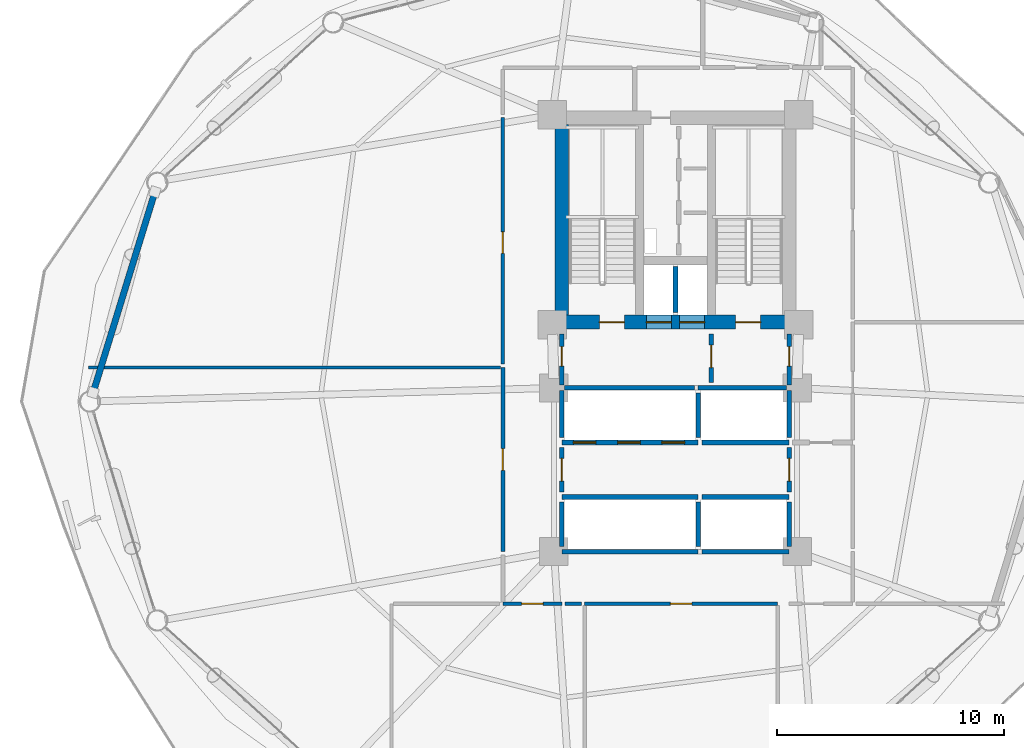
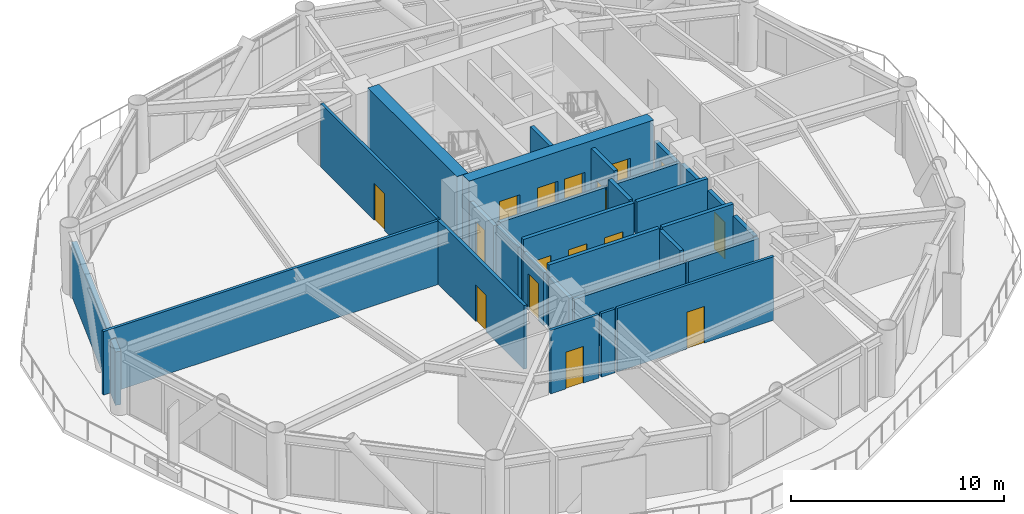
# One storey, part 20 of 25: 29 walls, 16 doors, 16 openings.
"""IFC4 building model written with IfcOpenShell, lengths in metres."""

import ifcopenshell
import ifcopenshell.guid

model = None  # the IFC model being written
_history = None  # IfcOwnerHistory: only IFC2X3 demands one
_inside = {}  # id of a spatial element -> (the spatial element, [elements in it])
_under = {}  # id of a project, library or spatial element -> (it, [spatial elements below it])
_declared = {}  # id of a project -> (the project, [libraries it declares])
_typed = {}  # id of a type object -> (the type object, [elements of that type])
_made_of = {}  # id of a material, layer set ... -> (it, [elements and type objects made of it])


def new_model(schema):
    """Start an empty IFC model of exactly this schema.

    Asked for "IFC4X3", IfcOpenShell would pick the latest addendum, in which some entities
    have other attributes; the version numbers below select the first issue.
    IFC2X3 requires an IfcOwnerHistory on every rooted entity: one is made here for all.
    """
    global model, _history
    if schema == "IFC4X3":
        model = ifcopenshell.file(schema_version=(4, 3, 0, 0))
    else:
        model = ifcopenshell.file(schema=schema)
    _inside.clear()
    _under.clear()
    _declared.clear()
    _typed.clear()
    _made_of.clear()
    _history = None
    if model.schema == "IFC2X3":
        org = make("IfcOrganization", Name="unknown")
        user = make(
            "IfcPersonAndOrganization",
            ThePerson=make("IfcPerson", FamilyName="unknown"),
            TheOrganization=org,
        )
        app = make(
            "IfcApplication",
            ApplicationDeveloper=org,
            Version="unknown",
            ApplicationFullName="unknown",
            ApplicationIdentifier="unknown",
        )
        _history = make(
            "IfcOwnerHistory",
            OwningUser=user,
            OwningApplication=app,
            ChangeAction="ADDED",
            CreationDate=0,
        )
    return model


def make(cls, **values):
    """One entity of the class cls with the attributes given. An attribute that is None is left unset."""
    return model.create_entity(
        cls, **{name: value for name, value in values.items() if value is not None}
    )


def rooted(cls, **values):
    """An entity with a GlobalId (a new one), such as an element, a storey or a relation."""
    return make(cls, GlobalId=ifcopenshell.guid.new(), OwnerHistory=_history, **values)


def si_unit(unit_type, name, prefix=None):
    """IfcSIUnit, for example si_unit("LENGTHUNIT", "METRE", prefix="MILLI")."""
    return make("IfcSIUnit", UnitType=unit_type, Prefix=prefix, Name=name)


def assignment(units):
    """IfcUnitAssignment: the units of a project."""
    return None if units is None else make("IfcUnitAssignment", Units=units)


def point(xyz):
    """IfcCartesianPoint."""
    return None if xyz is None else make("IfcCartesianPoint", Coordinates=xyz)


def direction(xyz):
    """IfcDirection."""
    return None if xyz is None else make("IfcDirection", DirectionRatios=xyz)


def frame(location, z_axis=None, x_axis=None):
    """IfcAxis2Placement3D, a coordinate frame: its origin and axes. An axis left out is left unset."""
    return make(
        "IfcAxis2Placement3D",
        Location=point(location),
        Axis=direction(z_axis),
        RefDirection=direction(x_axis),
    )


def frame_2d(location, x_axis=None):
    """IfcAxis2Placement2D, a coordinate frame in the plane: its origin and x axis."""
    return make(
        "IfcAxis2Placement2D", Location=point(location), RefDirection=direction(x_axis)
    )


def origin():
    """The frame at (0, 0, 0) with its axes left unset."""
    return frame((0.0, 0.0, 0.0))


def place(relative_to, where):
    """IfcLocalPlacement: puts the frame where relative to a parent placement (None: the world)."""
    return make(
        "IfcLocalPlacement", PlacementRelTo=relative_to, RelativePlacement=where
    )


def context(
    kind, dimensions, precision=None, world=None, true_north=None, identifier=None
):
    """IfcGeometricRepresentationContext, for example the 3D "Model" context."""
    return make(
        "IfcGeometricRepresentationContext",
        ContextIdentifier=identifier,
        ContextType=kind,
        CoordinateSpaceDimension=dimensions,
        Precision=precision,
        WorldCoordinateSystem=world,
        TrueNorth=true_north,
    )


def subcontext(parent, identifier, kind, view, scale=None):
    """IfcGeometricRepresentationSubContext, for example "Body" below "Model"."""
    return make(
        "IfcGeometricRepresentationSubContext",
        ContextIdentifier=identifier,
        ContextType=kind,
        ParentContext=parent,
        TargetScale=scale,
        TargetView=view,
    )


def project(units=None, contexts=None):
    """IfcProject with its units and contexts."""
    return rooted(
        "IfcProject",
        Name="project",
        RepresentationContexts=contexts,
        UnitsInContext=assignment(units),
    )


def spatial(cls, under=None, at=None, **own):
    """A site, building, storey or space (cls), placed at a placement, below another one or the project."""
    s = rooted(cls, ObjectPlacement=at, **own)
    if under is not None:
        _under.setdefault(under.id(), (under, []))[1].append(s)
    return s


def profile(cls, at=None, kind="AREA", **sizes):
    """A parametric profile (cls). Its sizes go by their IFC names, for example OverallWidth=200.0."""
    return make(cls, ProfileType=kind, Position=at, **sizes)


def rectangle(**sizes):
    """IfcRectangleProfileDef."""
    return profile("IfcRectangleProfileDef", **sizes)


def extrude(swept, where, along, depth):
    """IfcExtrudedAreaSolid: the profile swept, set in the frame where, extruded along a direction by depth."""
    return make(
        "IfcExtrudedAreaSolid",
        SweptArea=swept,
        Position=where,
        ExtrudedDirection=direction(along),
        Depth=depth,
    )


def shape(context_of_items, identifier, shape_type, items):
    """IfcShapeRepresentation: the items that make up one representation, for example the "Body"."""
    return make(
        "IfcShapeRepresentation",
        ContextOfItems=context_of_items,
        RepresentationIdentifier=identifier,
        RepresentationType=shape_type,
        Items=items,
    )


def material(Name=None, Category=None):
    """IfcMaterial."""
    return make("IfcMaterial", Name=Name, Category=Category)


def layer(
    of_material, thickness, ventilated=None, Name=None, Category=None, Priority=None
):
    """IfcMaterialLayer: one layer of a wall or slab, of a material (None: an air gap)."""
    return make(
        "IfcMaterialLayer",
        Material=of_material,
        LayerThickness=thickness,
        IsVentilated=ventilated,
        Name=Name,
        Category=Category,
        Priority=Priority,
    )


def layer_set(layers, Name=None):
    """IfcMaterialLayerSet."""
    return make("IfcMaterialLayerSet", MaterialLayers=layers, LayerSetName=Name)


def made_of(thing, what):
    """Note that an element or type object is made of a material, layer set ...; save() writes the relation."""
    if what is not None:
        _made_of.setdefault(what.id(), (what, []))[1].append(thing)
    return thing


def type_object(cls, material=None, **own):
    """A type object (cls), such as IfcWallType, which elements share."""
    return made_of(rooted(cls, **own), material)


def element(
    cls,
    number,
    at=None,
    inside=None,
    cuts=None,
    type_object=None,
    material=None,
    context=None,
    identifier="Body",
    shape_type=None,
    held_by="IfcProductDefinitionShape",
    body=None,
    shapes=None,
    **own,
):
    """One element of the class cls, such as IfcWall. Its Tag is "e" and its number.

    at: its placement. inside: the storey or other place that contains it. cuts: it is an
    opening in that element (IfcRelVoidsElement). A single representation is given by context,
    identifier, shape_type and body (its items); several are given by shapes. held_by: the class
    of the entity that holds the representations. save() writes the other relations.
    """
    e = rooted(cls, Tag="e%d" % number, ObjectPlacement=at, **own)
    if body is not None:
        shapes = [shape(context, identifier, shape_type, body)]
    if shapes is not None:
        e.Representation = make(held_by, Representations=shapes)
    if inside is not None:
        _inside.setdefault(inside.id(), (inside, []))[1].append(e)
    if cuts is not None:
        rooted(
            "IfcRelVoidsElement", RelatingBuildingElement=cuts, RelatedOpeningElement=e
        )
    if type_object is not None:
        _typed.setdefault(type_object.id(), (type_object, []))[1].append(e)
    return made_of(e, material)


def fill(opening, filler):
    """IfcRelFillsElement: the door or window that sits in an opening."""
    return rooted(
        "IfcRelFillsElement",
        RelatingOpeningElement=opening,
        RelatedBuildingElement=filler,
    )


def aggregate(whole, parts):
    """IfcRelAggregates: a whole, such as a stair, and the parts it consists of."""
    return rooted("IfcRelAggregates", RelatingObject=whole, RelatedObjects=parts)


def save(model, path):
    """Write the relations noted so far, then the file.

    IfcRelAggregates (storeys below a building ...), IfcRelContainedInSpatialStructure (elements
    in a storey), IfcRelDefinesByType, IfcRelAssociatesMaterial and IfcRelDeclares: one each for
    every whole, place, type object, material and project.
    """
    for whole, parts in _under.values():
        aggregate(whole, parts)
    for where, things in _inside.values():
        rooted(
            "IfcRelContainedInSpatialStructure",
            RelatedElements=things,
            RelatingStructure=where,
        )
    for kind, things in _typed.values():
        rooted("IfcRelDefinesByType", RelatedObjects=things, RelatingType=kind)
    for what, things in _made_of.values():
        rooted("IfcRelAssociatesMaterial", RelatedObjects=things, RelatingMaterial=what)
    for by, libraries in _declared.values():
        rooted("IfcRelDeclares", RelatingContext=by, RelatedDefinitions=libraries)
    model.write(path)


model = new_model("IFC4")

# Units and contexts
model_context = context("Model", 3, precision=1e-05, world=origin(), true_north=direction((0.0, 1.0)))
body_context = subcontext(model_context, "Body", "Model", "MODEL_VIEW")
ifc_project = project(units=[si_unit("LENGTHUNIT", "METRE"), si_unit("AREAUNIT", "SQUARE_METRE"), si_unit("VOLUMEUNIT", "CUBIC_METRE"), si_unit("PLANEANGLEUNIT", "RADIAN"), si_unit("MASSUNIT", "GRAM", prefix="KILO")], contexts=[model_context])

# Site, building, storey
site_placement = place(None, origin())
site = spatial("IfcSite", under=ifc_project, at=site_placement, CompositionType="ELEMENT")
building_placement = place(site_placement, origin())
building = spatial("IfcBuilding", under=site, at=building_placement, Name="Varnakorn Sky Granary", CompositionType="ELEMENT")
storey_placement = place(building_placement, frame((0.0, 0.0, 54.89990234375)))
storey = spatial("IfcBuildingStorey", under=building, at=storey_placement, Name="L13", CompositionType="ELEMENT", Elevation=54.89990234375)

# Wall, openings, doors
ifc_material_1 = material(Name="Concrete C60/75", Category="concrete")
ifc_layer_1 = layer(ifc_material_1, 0.60009765625, Name="Concrete C60/75")
ifc_layer_set_1 = layer_set([ifc_layer_1], Name="Concrete C60/75")
wall_type_1 = type_object("IfcWallType", Name="WT-CW-SHEAR-600", PredefinedType="SHEAR", material=ifc_layer_set_1)
wall_1_placement = place(storey_placement, frame((-2.0, 3.5, 0.0), z_axis=(0.0, 0.0, 1.0), x_axis=(1.0, 0.0, 0.0)))
wall_1 = element("IfcWall", 1, at=wall_1_placement, inside=storey, type_object=wall_type_1, Name="Core South Shear Wall L13", PredefinedType="SHEAR", context=body_context, shape_type="SweptSolid", body=[
    extrude(rectangle(XDim=10.0, YDim=0.60009765625, at=frame_2d((5.0, 0.0))), origin(), (0.0, 0.0, 1.0), 3.89208984375),
])
opening_1_placement = place(wall_1_placement, frame((1.64990234375, 0.0, 0.0)))
opening_1 = element("IfcOpeningElement", 2, at=opening_1_placement, cuts=wall_1, Name="Opening FD-90", PredefinedType="OPENING", context=body_context, shape_type="SweptSolid", body=[
    extrude(rectangle(XDim=1.10009765625, YDim=2.14990234375, at=frame_2d((0.550048828125, 1.074951171875))), frame((0.0, 0.31005859375, 0.0), z_axis=(0.0, -1.0, 0.0), x_axis=(1.0, 0.0, 0.0)), (0.0, 0.0, 1.0), 0.6201171875),
])
opening_2_placement = place(wall_1_placement, frame((7.64990234375, 0.0, 0.0)))
opening_2 = element("IfcOpeningElement", 3, at=opening_2_placement, cuts=wall_1, Name="Opening FD-90", PredefinedType="OPENING", context=body_context, shape_type="SweptSolid", body=[
    extrude(rectangle(XDim=1.10009765625, YDim=2.14990234375, at=frame_2d((0.550048828125, 1.074951171875))), frame((0.0, 0.31005859375, 0.0), z_axis=(0.0, -1.0, 0.0), x_axis=(1.0, 0.0, 0.0)), (0.0, 0.0, 1.0), 0.6201171875),
])
opening_3_placement = place(wall_1_placement, frame((3.719970703125, 0.0, 0.0)))
opening_3 = element("IfcOpeningElement", 4, at=opening_3_placement, cuts=wall_1, Name="Opening LD-01", PredefinedType="OPENING", context=body_context, shape_type="SweptSolid", body=[
    extrude(rectangle(XDim=1.10009765625, YDim=2.199951171875, at=frame_2d((0.550048828125, 1.10009765625))), frame((0.0, 0.31005859375, 0.0), z_axis=(0.0, -1.0, 0.0), x_axis=(1.0, 0.0, 0.0)), (0.0, 0.0, 1.0), 0.6201171875),
])
opening_4_placement = place(wall_1_placement, frame((5.179931640625, 0.0, 0.0)))
opening_4 = element("IfcOpeningElement", 5, at=opening_4_placement, cuts=wall_1, Name="Opening LD-01", PredefinedType="OPENING", context=body_context, shape_type="SweptSolid", body=[
    extrude(rectangle(XDim=1.10009765625, YDim=2.199951171875, at=frame_2d((0.550048828125, 1.10009765625))), frame((0.0, 0.31005859375, 0.0), z_axis=(0.0, -1.0, 0.0), x_axis=(1.0, 0.0, 0.0)), (0.0, 0.0, 1.0), 0.6201171875),
])
ifc_material_2 = material(Name="Brushed Bronze Stainless Steel", Category="steel")
door_type_1 = type_object("IfcDoorType", Name="DR-LD-1100", OperationType="DOUBLE_DOOR_SLIDING", PredefinedType="DOOR", material=ifc_material_2)
door_1_placement = place(opening_3_placement, origin())
door_1 = element("IfcDoor", 6, at=door_1_placement, inside=storey, type_object=door_type_1, Name="Firefighting Lift FFL-1 Landing Door L13", OperationType="DOUBLE_DOOR_SLIDING", OverallHeight=2.199951171875, OverallWidth=1.10009765625, PredefinedType="DOOR", context=body_context, shape_type="SweptSolid", body=[
    extrude(rectangle(XDim=1.10009765625, YDim=2.199951171875, at=frame_2d((0.550048828125, 1.10009765625))), frame((0.0, 0.02490234375, 0.0), z_axis=(0.0, -1.0, 0.0), x_axis=(1.0, 0.0, 0.0)), (0.0, 0.0, 1.0), 0.050048828125),
])
fill(opening_3, door_1)
door_2_placement = place(opening_4_placement, origin())
door_2 = element("IfcDoor", 7, at=door_2_placement, inside=storey, type_object=door_type_1, Name="Firefighting Lift FFL-2 Landing Door L13", OperationType="DOUBLE_DOOR_SLIDING", OverallHeight=2.199951171875, OverallWidth=1.10009765625, PredefinedType="DOOR", context=body_context, shape_type="SweptSolid", body=[
    extrude(rectangle(XDim=1.10009765625, YDim=2.199951171875, at=frame_2d((0.550048828125, 1.10009765625))), frame((0.0, 0.02490234375, 0.0), z_axis=(0.0, -1.0, 0.0), x_axis=(1.0, 0.0, 0.0)), (0.0, 0.0, 1.0), 0.050048828125),
])
fill(opening_4, door_2)
ifc_material_3 = material(Name="Galvanised Painted Steel Leaf", Category="steel")
door_type_2 = type_object("IfcDoorType", Name="DR-STAIR-1100", OperationType="NOTDEFINED", PredefinedType="DOOR", material=ifc_material_3)
door_3_placement = place(opening_1_placement, origin())
door_3 = element("IfcDoor", 8, at=door_3_placement, inside=storey, type_object=door_type_2, Name="Stair ST-1 Protected Fire Door L13", OperationType="SINGLE_SWING_LEFT", OverallHeight=2.14990234375, OverallWidth=1.10009765625, PredefinedType="DOOR", context=body_context, shape_type="SweptSolid", body=[
    extrude(rectangle(XDim=1.10009765625, YDim=2.14990234375, at=frame_2d((0.550048828125, 1.074951171875))), frame((0.0, 0.02490234375, 0.0), z_axis=(0.0, -1.0, 0.0), x_axis=(1.0, 0.0, 0.0)), (0.0, 0.0, 1.0), 0.050048828125),
])
fill(opening_1, door_3)
door_4_placement = place(opening_2_placement, origin())
door_4 = element("IfcDoor", 9, at=door_4_placement, inside=storey, type_object=door_type_2, Name="Stair ST-2 Protected Fire Door L13", OperationType="SINGLE_SWING_RIGHT", OverallHeight=2.14990234375, OverallWidth=1.10009765625, PredefinedType="DOOR", context=body_context, shape_type="SweptSolid", body=[
    extrude(rectangle(XDim=1.10009765625, YDim=2.14990234375, at=frame_2d((0.550048828125, 1.074951171875))), frame((0.0, 0.02490234375, 0.0), z_axis=(0.0, -1.0, 0.0), x_axis=(1.0, 0.0, 0.0)), (0.0, 0.0, 1.0), 0.050048828125),
])
fill(opening_2, door_4)

# Walls
wall_2_placement = place(storey_placement, frame((-2.0, 3.81005859375, 0.0), z_axis=(0.0, 0.0, 1.0), x_axis=(0.0, 1.0, 0.0)))
element("IfcWall", 10, at=wall_2_placement, inside=storey, type_object=wall_type_1, Name="Core West Shear Wall L13", PredefinedType="SHEAR", context=body_context, shape_type="SweptSolid", body=[
    extrude(rectangle(XDim=8.3798828125, YDim=0.60009765625, at=frame_2d((4.18994140625, 0.0))), origin(), (0.0, 0.0, 1.0), 3.89208984375),
])
ifc_material_4 = material(Name="Precast concrete C40/50", Category="concrete")
ifc_layer_2 = layer(ifc_material_4, 0.280029296875, Name="Precast concrete C40/50")
ifc_layer_set_2 = layer_set([ifc_layer_2], Name="Precast concrete C40/50")
wall_type_2 = type_object("IfcWallType", Name="WT-EW-CRN-280", PredefinedType="SOLIDWALL", material=ifc_layer_set_2)
wall_3_placement = place(storey_placement, frame((-22.6328125, 0.393798828125, 0.0), z_axis=(0.0, 0.0, 1.0), x_axis=(0.294325145178, 0.955705346284, 0.0)))
element("IfcWall", 11, at=wall_3_placement, inside=storey, type_object=wall_type_2, Name="Agritech Insulated Precast Facade Wall L13-P06", PredefinedType="SOLIDWALL", context=body_context, shape_type="SweptSolid", body=[
    extrude(rectangle(XDim=9.248046875, YDim=0.280029296875, at=frame_2d((4.6240234375, 0.0))), origin(), (0.0, 0.0, 1.0), 3.06005859375),
])

# Wall, opening, door
ifc_material_5 = material(Name="Autoclaved Aerated Concrete Blockwork", Category="masonry")
ifc_layer_3 = layer(ifc_material_5, 0.199951171875, Name="Autoclaved Aerated Concrete Blockwork")
ifc_layer_set_3 = layer_set([ifc_layer_3], Name="Autoclaved Aerated Concrete Blockwork")
wall_type_3 = type_object("IfcWallType", Name="WT-FIRE-200", PredefinedType="MOVABLE", material=ifc_layer_set_3)
wall_4_placement = place(storey_placement, frame((4.580078125, 0.830078125, 0.0), z_axis=(0.0, 0.0, 1.0), x_axis=(0.0, 1.0, 0.0)))
wall_4 = element("IfcWall", 12, at=wall_4_placement, inside=storey, type_object=wall_type_3, Name="Interior Partition Wall L13-016", PredefinedType="MOVABLE", context=body_context, shape_type="SweptSolid", body=[
    extrude(rectangle(XDim=2.139892578125, YDim=0.199951171875, at=frame_2d((1.06982421875, 0.0))), origin(), (0.0, 0.0, 1.0), 3.64013671875),
])
opening_5_placement = place(wall_4_placement, frame((0.659912109375, 0.0, 0.0)))
opening_5 = element("IfcOpeningElement", 13, at=opening_5_placement, cuts=wall_4, Name="Opening FD-60", PredefinedType="OPENING", context=body_context, shape_type="SweptSolid", body=[
    extrude(rectangle(XDim=1.0, YDim=2.10009765625, at=frame_2d((0.5, 1.050048828125))), frame((0.0, 0.10986328125, 0.0), z_axis=(0.0, -1.0, 0.0), x_axis=(1.0, 0.0, 0.0)), (0.0, 0.0, 1.0), 0.219970703125),
])
ifc_material_6 = material(Name="Acoustic Timber Fire Leaf", Category="wood")
door_type_3 = type_object("IfcDoorType", Name="DR-FD60-1000", OperationType="NOTDEFINED", PredefinedType="DOOR", material=ifc_material_6)
door_5_placement = place(opening_5_placement, origin())
door_5 = element("IfcDoor", 14, at=door_5_placement, inside=storey, type_object=door_type_3, Name="Interior Door L13-016-1", OperationType="SINGLE_SWING_LEFT", OverallHeight=2.10009765625, OverallWidth=1.0, PredefinedType="DOOR", context=body_context, shape_type="SweptSolid", body=[
    extrude(rectangle(XDim=1.0, YDim=2.10009765625, at=frame_2d((0.5, 1.050048828125))), frame((0.0, 0.02490234375, 0.0), z_axis=(0.0, -1.0, 0.0), x_axis=(1.0, 0.0, 0.0)), (0.0, 0.0, 1.0), 0.050048828125),
])
fill(opening_5, door_5)

wall_5_placement = place(storey_placement, frame((-2.0, 0.719970703125, 0.0), z_axis=(0.0, 0.0, 1.0), x_axis=(0.0, 1.0, 0.0)))
wall_5 = element("IfcWall", 15, at=wall_5_placement, inside=storey, type_object=wall_type_3, Name="Interior Partition Wall L13-017", PredefinedType="MOVABLE", context=body_context, shape_type="SweptSolid", body=[
    extrude(rectangle(XDim=2.25, YDim=0.199951171875, at=frame_2d((1.125, 0.0))), origin(), (0.0, 0.0, 1.0), 2.8720703125),
])
opening_6_placement = place(wall_5_placement, frame((0.844970703125, 0.0, 0.0)))
opening_6 = element("IfcOpeningElement", 16, at=opening_6_placement, cuts=wall_5, Name="Opening FD-60N", PredefinedType="OPENING", context=body_context, shape_type="SweptSolid", body=[
    extrude(rectangle(XDim=0.85009765625, YDim=2.10009765625, at=frame_2d((0.425048828125, 1.050048828125))), frame((0.0, 0.10986328125, 0.0), z_axis=(0.0, -1.0, 0.0), x_axis=(1.0, 0.0, 0.0)), (0.0, 0.0, 1.0), 0.219970703125),
])
door_type_4 = type_object("IfcDoorType", Name="DR-FD60-850", OperationType="NOTDEFINED", PredefinedType="DOOR", material=ifc_material_6)
door_6_placement = place(opening_6_placement, origin())
door_6 = element("IfcDoor", 17, at=door_6_placement, inside=storey, type_object=door_type_4, Name="Interior Door L13-017-1", OperationType="SINGLE_SWING_RIGHT", OverallHeight=2.10009765625, OverallWidth=0.85009765625, PredefinedType="DOOR", context=body_context, shape_type="SweptSolid", body=[
    extrude(rectangle(XDim=0.85009765625, YDim=2.10009765625, at=frame_2d((0.425048828125, 1.050048828125))), frame((0.0, 0.02490234375, 0.0), z_axis=(0.0, -1.0, 0.0), x_axis=(1.0, 0.0, 0.0)), (0.0, 0.0, 1.0), 0.050048828125),
])
fill(opening_6, door_6)

wall_6_placement = place(storey_placement, frame((8.0, 0.719970703125, 0.0), z_axis=(0.0, 0.0, 1.0), x_axis=(0.0, 1.0, 0.0)))
wall_6 = element("IfcWall", 18, at=wall_6_placement, inside=storey, type_object=wall_type_3, Name="Interior Partition Wall L13-018", PredefinedType="MOVABLE", context=body_context, shape_type="SweptSolid", body=[
    extrude(rectangle(XDim=2.25, YDim=0.199951171875, at=frame_2d((1.125, 0.0))), origin(), (0.0, 0.0, 1.0), 2.8720703125),
])
opening_7_placement = place(wall_6_placement, frame((0.844970703125, 0.0, 0.0)))
opening_7 = element("IfcOpeningElement", 19, at=opening_7_placement, cuts=wall_6, Name="Opening FD-60N", PredefinedType="OPENING", context=body_context, shape_type="SweptSolid", body=[
    extrude(rectangle(XDim=0.85009765625, YDim=2.10009765625, at=frame_2d((0.425048828125, 1.050048828125))), frame((0.0, 0.10986328125, 0.0), z_axis=(0.0, -1.0, 0.0), x_axis=(1.0, 0.0, 0.0)), (0.0, 0.0, 1.0), 0.219970703125),
])
door_7_placement = place(opening_7_placement, origin())
door_7 = element("IfcDoor", 20, at=door_7_placement, inside=storey, type_object=door_type_4, Name="Interior Door L13-018-1", OperationType="SINGLE_SWING_LEFT", OverallHeight=2.10009765625, OverallWidth=0.85009765625, PredefinedType="DOOR", context=body_context, shape_type="SweptSolid", body=[
    extrude(rectangle(XDim=0.85009765625, YDim=2.10009765625, at=frame_2d((0.425048828125, 1.050048828125))), frame((0.0, 0.02490234375, 0.0), z_axis=(0.0, -1.0, 0.0), x_axis=(1.0, 0.0, 0.0)), (0.0, 0.0, 1.0), 0.050048828125),
])
fill(opening_7, door_7)

wall_7_placement = place(storey_placement, frame((-2.0, -3.969970703125, 0.0), z_axis=(0.0, 0.0, 1.0), x_axis=(0.0, 1.0, 0.0)))
wall_7 = element("IfcWall", 21, at=wall_7_placement, inside=storey, type_object=wall_type_3, Name="Interior Partition Wall L13-019", PredefinedType="MOVABLE", context=body_context, shape_type="SweptSolid", body=[
    extrude(rectangle(XDim=1.93994140625, YDim=0.199951171875, at=frame_2d((0.969970703125, 0.0))), origin(), (0.0, 0.0, 1.0), 3.022216796875),
])
opening_8_placement = place(wall_7_placement, frame((0.469970703125, 0.0, 0.0)))
opening_8 = element("IfcOpeningElement", 22, at=opening_8_placement, cuts=wall_7, Name="Opening FD-60", PredefinedType="OPENING", context=body_context, shape_type="SweptSolid", body=[
    extrude(rectangle(XDim=1.0, YDim=2.10009765625, at=frame_2d((0.5, 1.050048828125))), frame((0.0, 0.10986328125, 0.0), z_axis=(0.0, -1.0, 0.0), x_axis=(1.0, 0.0, 0.0)), (0.0, 0.0, 1.0), 0.219970703125),
])
door_8_placement = place(opening_8_placement, origin())
door_8 = element("IfcDoor", 23, at=door_8_placement, inside=storey, type_object=door_type_3, Name="Interior Door L13-019-1", OperationType="SINGLE_SWING_RIGHT", OverallHeight=2.10009765625, OverallWidth=1.0, PredefinedType="DOOR", context=body_context, shape_type="SweptSolid", body=[
    extrude(rectangle(XDim=1.0, YDim=2.10009765625, at=frame_2d((0.5, 1.050048828125))), frame((0.0, 0.02490234375, 0.0), z_axis=(0.0, -1.0, 0.0), x_axis=(1.0, 0.0, 0.0)), (0.0, 0.0, 1.0), 0.050048828125),
])
fill(opening_8, door_8)

wall_8_placement = place(storey_placement, frame((8.0, -3.969970703125, 0.0), z_axis=(0.0, 0.0, 1.0), x_axis=(0.0, 1.0, 0.0)))
wall_8 = element("IfcWall", 24, at=wall_8_placement, inside=storey, type_object=wall_type_3, Name="Interior Partition Wall L13-020", PredefinedType="MOVABLE", context=body_context, shape_type="SweptSolid", body=[
    extrude(rectangle(XDim=1.93994140625, YDim=0.199951171875, at=frame_2d((0.969970703125, 0.0))), origin(), (0.0, 0.0, 1.0), 3.072021484375),
])
opening_9_placement = place(wall_8_placement, frame((0.469970703125, 0.0, 0.0)))
opening_9 = element("IfcOpeningElement", 25, at=opening_9_placement, cuts=wall_8, Name="Opening FD-60", PredefinedType="OPENING", context=body_context, shape_type="SweptSolid", body=[
    extrude(rectangle(XDim=1.0, YDim=2.10009765625, at=frame_2d((0.5, 1.050048828125))), frame((0.0, 0.10986328125, 0.0), z_axis=(0.0, -1.0, 0.0), x_axis=(1.0, 0.0, 0.0)), (0.0, 0.0, 1.0), 0.219970703125),
])
door_9_placement = place(opening_9_placement, origin())
door_9 = element("IfcDoor", 26, at=door_9_placement, inside=storey, type_object=door_type_3, Name="Interior Door L13-020-1", OperationType="SINGLE_SWING_LEFT", OverallHeight=2.10009765625, OverallWidth=1.0, PredefinedType="DOOR", context=body_context, shape_type="SweptSolid", body=[
    extrude(rectangle(XDim=1.0, YDim=2.10009765625, at=frame_2d((0.5, 1.050048828125))), frame((0.0, 0.02490234375, 0.0), z_axis=(0.0, -1.0, 0.0), x_axis=(1.0, 0.0, 0.0)), (0.0, 0.0, 1.0), 0.050048828125),
])
fill(opening_9, door_9)

# Wall
wall_9_placement = place(storey_placement, frame((-1.8798828125, 0.60009765625, 0.0), z_axis=(0.0, 0.0, 1.0), x_axis=(1.0, 0.0, 0.0)))
element("IfcWall", 27, at=wall_9_placement, inside=storey, type_object=wall_type_3, Name="Interior Partition Wall L13-032", PredefinedType="MOVABLE", context=body_context, shape_type="SweptSolid", body=[
    extrude(rectangle(XDim=5.719970703125, YDim=0.199951171875, at=frame_2d((2.85986328125, 0.0))), origin(), (0.0, 0.0, 1.0), 3.1220703125),
])

# Wall, opening, door
ifc_material_7 = material(Name="Gypsum Plasterboard on Steel Stud", Category="steel")
ifc_layer_4 = layer(ifc_material_7, 0.14990234375, Name="Gypsum Plasterboard on Steel Stud")
ifc_layer_set_4 = layer_set([ifc_layer_4], Name="Gypsum Plasterboard on Steel Stud")
wall_type_4 = type_object("IfcWallType", Name="WT-PART-150", PredefinedType="PARTITIONING", material=ifc_layer_set_4)
wall_10_placement = place(storey_placement, frame((-4.60009765625, -8.89990234375, 0.0), z_axis=(0.0, 0.0, 1.0), x_axis=(1.0, 0.0, 0.0)))
wall_10 = element("IfcWall", 28, at=wall_10_placement, inside=storey, type_object=wall_type_4, Name="Interior Partition Wall L13-023", PredefinedType="PARTITIONING", context=body_context, shape_type="SweptSolid", body=[
    extrude(rectangle(XDim=2.60009765625, YDim=0.14990234375, at=frame_2d((1.300048828125, 0.0))), origin(), (0.0, 0.0, 1.0), 3.64013671875),
])
opening_10_placement = place(wall_10_placement, frame((0.824951171875, 0.0, 0.0)))
opening_10 = element("IfcOpeningElement", 29, at=opening_10_placement, cuts=wall_10, Name="Opening ID-95", PredefinedType="OPENING", context=body_context, shape_type="SweptSolid", body=[
    extrude(rectangle(XDim=0.949951171875, YDim=2.10009765625, at=frame_2d((0.47509765625, 1.050048828125))), frame((0.0, 0.0849609375, 0.0), z_axis=(0.0, -1.0, 0.0), x_axis=(1.0, 0.0, 0.0)), (0.0, 0.0, 1.0), 0.169921875),
])
ifc_material_8 = material(Name="Solid-Core Teak Veneer Leaf", Category="timber")
door_type_5 = type_object("IfcDoorType", Name="DR-INT-950", OperationType="NOTDEFINED", PredefinedType="DOOR", material=ifc_material_8)
door_10_placement = place(opening_10_placement, origin())
door_10 = element("IfcDoor", 30, at=door_10_placement, inside=storey, type_object=door_type_5, Name="Interior Door L13-023-1", OperationType="SINGLE_SWING_RIGHT", OverallHeight=2.10009765625, OverallWidth=0.949951171875, PredefinedType="DOOR", context=body_context, shape_type="SweptSolid", body=[
    extrude(rectangle(XDim=0.949951171875, YDim=2.10009765625, at=frame_2d((0.47509765625, 1.050048828125))), frame((0.0, 0.02490234375, 0.0), z_axis=(0.0, -1.0, 0.0), x_axis=(1.0, 0.0, 0.0)), (0.0, 0.0, 1.0), 0.050048828125),
])
fill(opening_10, door_10)

wall_11_placement = place(storey_placement, frame((-1.0, -8.89990234375, 0.0), z_axis=(0.0, 0.0, 1.0), x_axis=(1.0, 0.0, 0.0)))
wall_11 = element("IfcWall", 31, at=wall_11_placement, inside=storey, type_object=wall_type_4, Name="Interior Partition Wall L13-024", PredefinedType="PARTITIONING", context=body_context, shape_type="SweptSolid", body=[
    extrude(rectangle(XDim=8.5, YDim=0.14990234375, at=frame_2d((4.25, 0.0))), origin(), (0.0, 0.0, 1.0), 3.64013671875),
])
opening_11_placement = place(wall_11_placement, frame((3.77490234375, 0.0, 0.0)))
opening_11 = element("IfcOpeningElement", 32, at=opening_11_placement, cuts=wall_11, Name="Opening ID-95", PredefinedType="OPENING", context=body_context, shape_type="SweptSolid", body=[
    extrude(rectangle(XDim=0.949951171875, YDim=2.10009765625, at=frame_2d((0.47509765625, 1.050048828125))), frame((0.0, 0.0849609375, 0.0), z_axis=(0.0, -1.0, 0.0), x_axis=(1.0, 0.0, 0.0)), (0.0, 0.0, 1.0), 0.169921875),
])
door_11_placement = place(opening_11_placement, origin())
door_11 = element("IfcDoor", 33, at=door_11_placement, inside=storey, type_object=door_type_5, Name="Interior Door L13-024-1", OperationType="SINGLE_SWING_LEFT", OverallHeight=2.10009765625, OverallWidth=0.949951171875, PredefinedType="DOOR", context=body_context, shape_type="SweptSolid", body=[
    extrude(rectangle(XDim=0.949951171875, YDim=2.10009765625, at=frame_2d((0.47509765625, 1.050048828125))), frame((0.0, 0.02490234375, 0.0), z_axis=(0.0, -1.0, 0.0), x_axis=(1.0, 0.0, 0.0)), (0.0, 0.0, 1.0), 0.050048828125),
])
fill(opening_11, door_11)

wall_12_placement = place(storey_placement, frame((-4.60009765625, 12.5, 0.0), z_axis=(0.0, 0.0, 1.0), x_axis=(0.0, -1.0, 0.0)))
wall_12 = element("IfcWall", 34, at=wall_12_placement, inside=storey, type_object=wall_type_4, Name="Interior Partition Wall L13-027", PredefinedType="PARTITIONING", context=body_context, shape_type="SweptSolid", body=[
    extrude(rectangle(XDim=10.85009765625, YDim=0.14990234375, at=frame_2d((5.425048828125, 0.0))), origin(), (0.0, 0.0, 1.0), 3.64013671875),
])
opening_12_placement = place(wall_12_placement, frame((5.02490234375, 0.0, 0.0)))
opening_12 = element("IfcOpeningElement", 35, at=opening_12_placement, cuts=wall_12, Name="Opening ID-95", PredefinedType="OPENING", context=body_context, shape_type="SweptSolid", body=[
    extrude(rectangle(XDim=0.949951171875, YDim=2.10009765625, at=frame_2d((0.47509765625, 1.050048828125))), frame((0.0, 0.0849609375, 0.0), z_axis=(0.0, -1.0, 0.0), x_axis=(1.0, 0.0, 0.0)), (0.0, 0.0, 1.0), 0.169921875),
])
door_12_placement = place(opening_12_placement, origin())
door_12 = element("IfcDoor", 36, at=door_12_placement, inside=storey, type_object=door_type_5, Name="Interior Door L13-027-1", OperationType="SINGLE_SWING_RIGHT", OverallHeight=2.10009765625, OverallWidth=0.949951171875, PredefinedType="DOOR", context=body_context, shape_type="SweptSolid", body=[
    extrude(rectangle(XDim=0.949951171875, YDim=2.10009765625, at=frame_2d((0.47509765625, 1.050048828125))), frame((0.0, 0.02490234375, 0.0), z_axis=(0.0, -1.0, 0.0), x_axis=(1.0, 0.0, 0.0)), (0.0, 0.0, 1.0), 0.050048828125),
])
fill(opening_12, door_12)

# Walls
wall_13_placement = place(storey_placement, frame((-1.864990234375, -8.89990234375, 0.0), z_axis=(0.0, 0.0, 1.0), x_axis=(1.0, 0.0, 0.0)))
element("IfcWall", 37, at=wall_13_placement, inside=storey, type_object=wall_type_4, Name="Interior Partition Wall L13-035", PredefinedType="PARTITIONING", context=body_context, shape_type="SweptSolid", body=[
    extrude(rectangle(XDim=0.72998046875, YDim=0.14990234375, at=frame_2d((0.364990234375, 0.0))), origin(), (0.0, 0.0, 1.0), 3.64013671875),
])
wall_14_placement = place(storey_placement, frame((-22.8349609375, 1.5, 0.0), z_axis=(0.0, 0.0, 1.0), x_axis=(1.0, 0.0, 0.0)))
element("IfcWall", 38, at=wall_14_placement, inside=storey, type_object=wall_type_4, Name="Interior Partition Wall L13-042", PredefinedType="PARTITIONING", context=body_context, shape_type="SweptSolid", body=[
    extrude(rectangle(XDim=18.135009765625, YDim=0.14990234375, at=frame_2d((9.0673828125, 0.0))), origin(), (0.0, 0.0, 1.0), 3.64013671875),
])

# Wall, opening, door
ifc_material_9 = material(Name="Moisture-Resistant Gypsum on Stud", Category="gypsum")
ifc_layer_5 = layer(ifc_material_9, 0.179931640625, Name="Moisture-Resistant Gypsum on Stud")
ifc_layer_set_5 = layer_set([ifc_layer_5], Name="Moisture-Resistant Gypsum on Stud")
wall_type_5 = type_object("IfcWallType", Name="WT-PLUMB-180", PredefinedType="PLUMBINGWALL", material=ifc_layer_set_5)
wall_15_placement = place(storey_placement, frame((-4.60009765625, 1.5, 0.0), z_axis=(0.0, 0.0, 1.0), x_axis=(0.0, -1.0, 0.0)))
wall_15 = element("IfcWall", 39, at=wall_15_placement, inside=storey, type_object=wall_type_5, Name="Interior Partition Wall L13-026", PredefinedType="PLUMBINGWALL", context=body_context, shape_type="SweptSolid", body=[
    extrude(rectangle(XDim=8.10009765625, YDim=0.179931640625, at=frame_2d((4.050048828125, 0.0))), origin(), (0.0, 0.0, 1.0), 3.64013671875),
])
opening_13_placement = place(wall_15_placement, frame((3.574951171875, 0.0, 0.0)))
opening_13 = element("IfcOpeningElement", 40, at=opening_13_placement, cuts=wall_15, Name="Opening ID-95", PredefinedType="OPENING", context=body_context, shape_type="SweptSolid", body=[
    extrude(rectangle(XDim=0.949951171875, YDim=2.10009765625, at=frame_2d((0.47509765625, 1.050048828125))), frame((0.0, 0.10009765625, 0.0), z_axis=(0.0, -1.0, 0.0), x_axis=(1.0, 0.0, 0.0)), (0.0, 0.0, 1.0), 0.199951171875),
])
door_13_placement = place(opening_13_placement, origin())
door_13 = element("IfcDoor", 41, at=door_13_placement, inside=storey, type_object=door_type_5, Name="Interior Door L13-026-1", OperationType="SINGLE_SWING_LEFT", OverallHeight=2.10009765625, OverallWidth=0.949951171875, PredefinedType="DOOR", context=body_context, shape_type="SweptSolid", body=[
    extrude(rectangle(XDim=0.949951171875, YDim=2.10009765625, at=frame_2d((0.47509765625, 1.050048828125))), frame((0.0, 0.02490234375, 0.0), z_axis=(0.0, -1.0, 0.0), x_axis=(1.0, 0.0, 0.0)), (0.0, 0.0, 1.0), 0.050048828125),
])
fill(opening_13, door_13)

# Walls
ifc_layer_6 = layer(ifc_material_5, 0.199951171875, Name="Autoclaved Aerated Concrete Blockwork")
ifc_layer_set_6 = layer_set([ifc_layer_6], Name="Autoclaved Aerated Concrete Blockwork")
wall_type_6 = type_object("IfcWallType", Name="WT-SHAFT-200", PredefinedType="SOLIDWALL", material=ifc_layer_set_6)
wall_16_placement = place(storey_placement, frame((3.0, 3.919921875, 0.0), z_axis=(0.0, 0.0, 1.0), x_axis=(0.0, 1.0, 0.0)))
element("IfcWall", 42, at=wall_16_placement, inside=storey, type_object=wall_type_6, Name="Interior Partition Wall L13-001", PredefinedType="SOLIDWALL", context=body_context, shape_type="SweptSolid", body=[
    extrude(rectangle(XDim=2.030029296875, YDim=0.199951171875, at=frame_2d((1.01513671875, 0.0))), origin(), (0.0, 0.0, 1.0), 3.64013671875),
])
wall_17_placement = place(storey_placement, frame((4.0, 0.60009765625, 0.0), z_axis=(0.0, 0.0, 1.0), x_axis=(1.0, 0.0, 0.0)))
element("IfcWall", 43, at=wall_17_placement, inside=storey, type_object=wall_type_6, Name="Interior Partition Wall L13-002", PredefinedType="SOLIDWALL", context=body_context, shape_type="SweptSolid", body=[
    extrude(rectangle(XDim=3.8798828125, YDim=0.199951171875, at=frame_2d((1.93994140625, 0.0))), origin(), (0.0, 0.0, 1.0), 3.1220703125),
])

# Wall, openings, doors
wall_18_placement = place(storey_placement, frame((-2.0, -1.800048828125, 0.0), z_axis=(0.0, 0.0, 1.0), x_axis=(1.0, 0.0, 0.0)))
wall_18 = element("IfcWall", 44, at=wall_18_placement, inside=storey, type_object=wall_type_6, Name="Interior Partition Wall L13-003", PredefinedType="SOLIDWALL", context=body_context, shape_type="SweptSolid", body=[
    extrude(rectangle(XDim=6.0, YDim=0.199951171875, at=frame_2d((3.0, 0.0))), origin(), (0.0, 0.0, 1.0), 3.64013671875),
])
opening_14_placement = place(wall_18_placement, frame((0.5, 0.0, 0.0)))
opening_14 = element("IfcOpeningElement", 45, at=opening_14_placement, cuts=wall_18, Name="Opening LD-03", PredefinedType="OPENING", context=body_context, shape_type="SweptSolid", body=[
    extrude(rectangle(XDim=1.0, YDim=2.199951171875, at=frame_2d((0.5, 1.10009765625))), frame((0.0, 0.10986328125, 0.0), z_axis=(0.0, -1.0, 0.0), x_axis=(1.0, 0.0, 0.0)), (0.0, 0.0, 1.0), 0.219970703125),
])
opening_15_placement = place(wall_18_placement, frame((2.449951171875, 0.0, 0.0)))
opening_15 = element("IfcOpeningElement", 46, at=opening_15_placement, cuts=wall_18, Name="Opening LD-03", PredefinedType="OPENING", context=body_context, shape_type="SweptSolid", body=[
    extrude(rectangle(XDim=1.0, YDim=2.199951171875, at=frame_2d((0.5, 1.10009765625))), frame((0.0, 0.10986328125, 0.0), z_axis=(0.0, -1.0, 0.0), x_axis=(1.0, 0.0, 0.0)), (0.0, 0.0, 1.0), 0.219970703125),
])
opening_16_placement = place(wall_18_placement, frame((4.39990234375, 0.0, 0.0)))
opening_16 = element("IfcOpeningElement", 47, at=opening_16_placement, cuts=wall_18, Name="Opening LD-03", PredefinedType="OPENING", context=body_context, shape_type="SweptSolid", body=[
    extrude(rectangle(XDim=1.0, YDim=2.199951171875, at=frame_2d((0.5, 1.10009765625))), frame((0.0, 0.10986328125, 0.0), z_axis=(0.0, -1.0, 0.0), x_axis=(1.0, 0.0, 0.0)), (0.0, 0.0, 1.0), 0.219970703125),
])
door_type_6 = type_object("IfcDoorType", Name="DR-LD-1000", OperationType="DOUBLE_DOOR_SLIDING", PredefinedType="DOOR", material=ifc_material_2)
door_14_placement = place(opening_14_placement, origin())
door_14 = element("IfcDoor", 48, at=door_14_placement, inside=storey, type_object=door_type_6, Name="Passenger Lift PL-L1 Sliding Landing Door L13", OperationType="DOUBLE_DOOR_SLIDING", OverallHeight=2.199951171875, OverallWidth=1.0, PredefinedType="DOOR", context=body_context, shape_type="SweptSolid", body=[
    extrude(rectangle(XDim=1.0, YDim=2.199951171875, at=frame_2d((0.5, 1.10009765625))), frame((0.0, 0.02490234375, 0.0), z_axis=(0.0, -1.0, 0.0), x_axis=(1.0, 0.0, 0.0)), (0.0, 0.0, 1.0), 0.050048828125),
])
fill(opening_14, door_14)
door_15_placement = place(opening_15_placement, origin())
door_15 = element("IfcDoor", 49, at=door_15_placement, inside=storey, type_object=door_type_6, Name="Passenger Lift PL-L2 Sliding Landing Door L13", OperationType="DOUBLE_DOOR_SLIDING", OverallHeight=2.199951171875, OverallWidth=1.0, PredefinedType="DOOR", context=body_context, shape_type="SweptSolid", body=[
    extrude(rectangle(XDim=1.0, YDim=2.199951171875, at=frame_2d((0.5, 1.10009765625))), frame((0.0, 0.02490234375, 0.0), z_axis=(0.0, -1.0, 0.0), x_axis=(1.0, 0.0, 0.0)), (0.0, 0.0, 1.0), 0.050048828125),
])
fill(opening_15, door_15)
door_16_placement = place(opening_16_placement, origin())
door_16 = element("IfcDoor", 50, at=door_16_placement, inside=storey, type_object=door_type_6, Name="Passenger Lift PL-L3 Sliding Landing Door L13", OperationType="DOUBLE_DOOR_SLIDING", OverallHeight=2.199951171875, OverallWidth=1.0, PredefinedType="DOOR", context=body_context, shape_type="SweptSolid", body=[
    extrude(rectangle(XDim=1.0, YDim=2.199951171875, at=frame_2d((0.5, 1.10009765625))), frame((0.0, 0.02490234375, 0.0), z_axis=(0.0, -1.0, 0.0), x_axis=(1.0, 0.0, 0.0)), (0.0, 0.0, 1.0), 0.050048828125),
])
fill(opening_16, door_16)

# Walls
wall_19_placement = place(storey_placement, frame((-2.0, -1.570068359375, 0.0), z_axis=(0.0, 0.0, 1.0), x_axis=(0.0, 1.0, 0.0)))
element("IfcWall", 51, at=wall_19_placement, inside=storey, type_object=wall_type_6, Name="Interior Partition Wall L13-004", PredefinedType="SOLIDWALL", context=body_context, shape_type="SweptSolid", body=[
    extrude(rectangle(XDim=2.050048828125, YDim=0.199951171875, at=frame_2d((1.02490234375, 0.0))), origin(), (0.0, 0.0, 1.0), 3.022216796875),
])
wall_20_placement = place(storey_placement, frame((4.159912109375, -1.800048828125, 0.0), z_axis=(0.0, 0.0, 1.0), x_axis=(1.0, 0.0, 0.0)))
element("IfcWall", 52, at=wall_20_placement, inside=storey, type_object=wall_type_6, Name="Interior Partition Wall L13-005", PredefinedType="SOLIDWALL", context=body_context, shape_type="SweptSolid", body=[
    extrude(rectangle(XDim=3.840087890625, YDim=0.199951171875, at=frame_2d((1.919921875, 0.0))), origin(), (0.0, 0.0, 1.0), 3.64013671875),
])
wall_21_placement = place(storey_placement, frame((4.0, -1.570068359375, 0.0), z_axis=(0.0, 0.0, 1.0), x_axis=(0.0, 1.0, 0.0)))
element("IfcWall", 53, at=wall_21_placement, inside=storey, type_object=wall_type_6, Name="Interior Partition Wall L13-006", PredefinedType="SOLIDWALL", context=body_context, shape_type="SweptSolid", body=[
    extrude(rectangle(XDim=1.940185546875, YDim=0.199951171875, at=frame_2d((0.97021484375, 0.0))), origin(), (0.0, 0.0, 1.0), 3.64013671875),
])
wall_22_placement = place(storey_placement, frame((8.0, -1.570068359375, 0.0), z_axis=(0.0, 0.0, 1.0), x_axis=(0.0, 1.0, 0.0)))
element("IfcWall", 54, at=wall_22_placement, inside=storey, type_object=wall_type_6, Name="Interior Partition Wall L13-007", PredefinedType="SOLIDWALL", context=body_context, shape_type="SweptSolid", body=[
    extrude(rectangle(XDim=2.050048828125, YDim=0.199951171875, at=frame_2d((1.02490234375, 0.0))), origin(), (0.0, 0.0, 1.0), 3.072021484375),
])
wall_23_placement = place(storey_placement, frame((-2.0, -4.199951171875, 0.0), z_axis=(0.0, 0.0, 1.0), x_axis=(1.0, 0.0, 0.0)))
element("IfcWall", 55, at=wall_23_placement, inside=storey, type_object=wall_type_6, Name="Interior Partition Wall L13-008", PredefinedType="SOLIDWALL", context=body_context, shape_type="SweptSolid", body=[
    extrude(rectangle(XDim=6.0, YDim=0.199951171875, at=frame_2d((3.0, 0.0))), origin(), (0.0, 0.0, 1.0), 3.64013671875),
])
wall_24_placement = place(storey_placement, frame((-2.0, -6.60009765625, 0.0), z_axis=(0.0, 0.0, 1.0), x_axis=(1.0, 0.0, 0.0)))
element("IfcWall", 56, at=wall_24_placement, inside=storey, type_object=wall_type_6, Name="Interior Partition Wall L13-009", PredefinedType="SOLIDWALL", context=body_context, shape_type="SweptSolid", body=[
    extrude(rectangle(XDim=6.0, YDim=0.199951171875, at=frame_2d((3.0, 0.0))), origin(), (0.0, 0.0, 1.0), 3.1220703125),
])
wall_25_placement = place(storey_placement, frame((-2.0, -6.3701171875, 0.0), z_axis=(0.0, 0.0, 1.0), x_axis=(0.0, 1.0, 0.0)))
element("IfcWall", 57, at=wall_25_placement, inside=storey, type_object=wall_type_6, Name="Interior Partition Wall L13-010", PredefinedType="SOLIDWALL", context=body_context, shape_type="SweptSolid", body=[
    extrude(rectangle(XDim=1.940185546875, YDim=0.199951171875, at=frame_2d((0.97021484375, 0.0))), origin(), (0.0, 0.0, 1.0), 3.022216796875),
])
wall_26_placement = place(storey_placement, frame((4.159912109375, -4.199951171875, 0.0), z_axis=(0.0, 0.0, 1.0), x_axis=(1.0, 0.0, 0.0)))
element("IfcWall", 58, at=wall_26_placement, inside=storey, type_object=wall_type_6, Name="Interior Partition Wall L13-011", PredefinedType="SOLIDWALL", context=body_context, shape_type="SweptSolid", body=[
    extrude(rectangle(XDim=3.840087890625, YDim=0.199951171875, at=frame_2d((1.919921875, 0.0))), origin(), (0.0, 0.0, 1.0), 3.64013671875),
])
wall_27_placement = place(storey_placement, frame((4.159912109375, -6.60009765625, 0.0), z_axis=(0.0, 0.0, 1.0), x_axis=(1.0, 0.0, 0.0)))
element("IfcWall", 59, at=wall_27_placement, inside=storey, type_object=wall_type_6, Name="Interior Partition Wall L13-012", PredefinedType="SOLIDWALL", context=body_context, shape_type="SweptSolid", body=[
    extrude(rectangle(XDim=3.840087890625, YDim=0.199951171875, at=frame_2d((1.919921875, 0.0))), origin(), (0.0, 0.0, 1.0), 3.1220703125),
])
wall_28_placement = place(storey_placement, frame((4.0, -6.3701171875, 0.0), z_axis=(0.0, 0.0, 1.0), x_axis=(0.0, 1.0, 0.0)))
element("IfcWall", 60, at=wall_28_placement, inside=storey, type_object=wall_type_6, Name="Interior Partition Wall L13-013", PredefinedType="SOLIDWALL", context=body_context, shape_type="SweptSolid", body=[
    extrude(rectangle(XDim=1.940185546875, YDim=0.199951171875, at=frame_2d((0.97021484375, 0.0))), origin(), (0.0, 0.0, 1.0), 3.64013671875),
])
wall_29_placement = place(storey_placement, frame((8.0, -6.3701171875, 0.0), z_axis=(0.0, 0.0, 1.0), x_axis=(0.0, 1.0, 0.0)))
element("IfcWall", 61, at=wall_29_placement, inside=storey, type_object=wall_type_6, Name="Interior Partition Wall L13-014", PredefinedType="SOLIDWALL", context=body_context, shape_type="SweptSolid", body=[
    extrude(rectangle(XDim=1.940185546875, YDim=0.199951171875, at=frame_2d((0.97021484375, 0.0))), origin(), (0.0, 0.0, 1.0), 3.072021484375),
])

save(model, "model.ifc")
